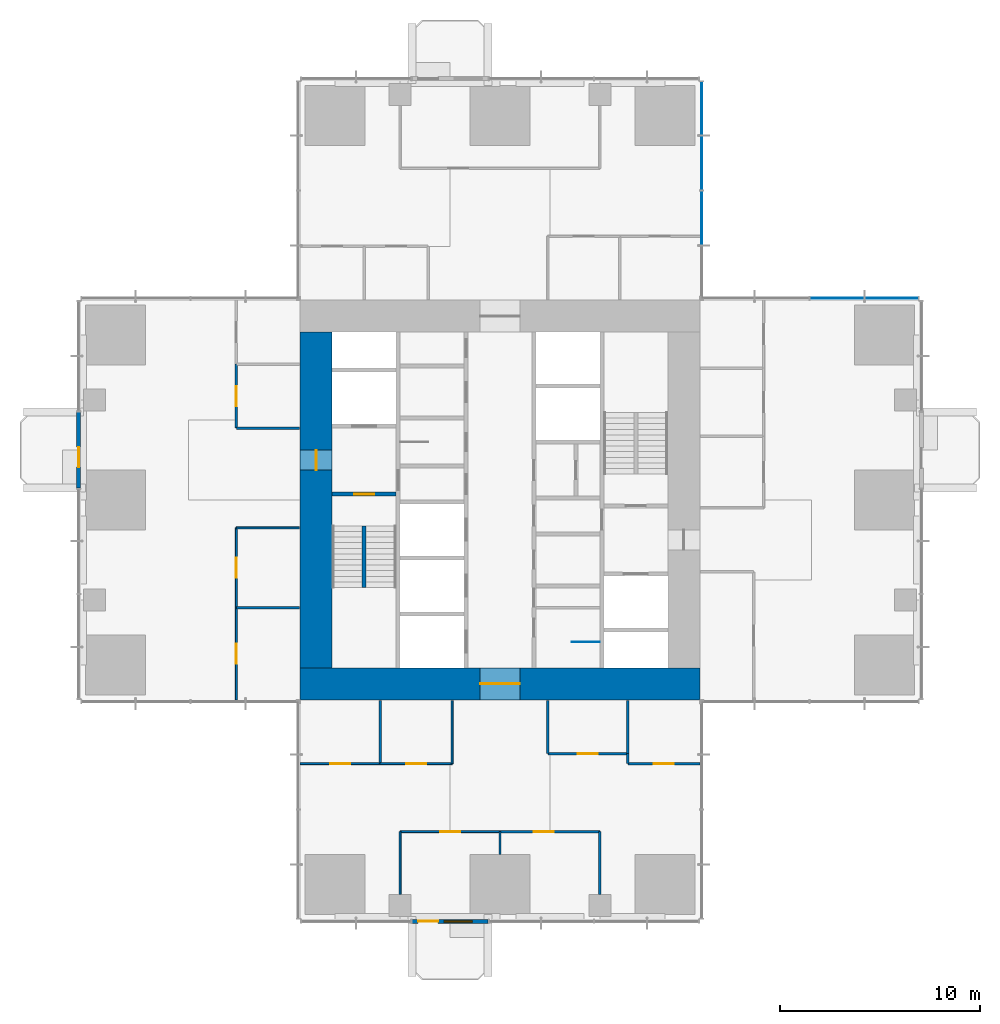
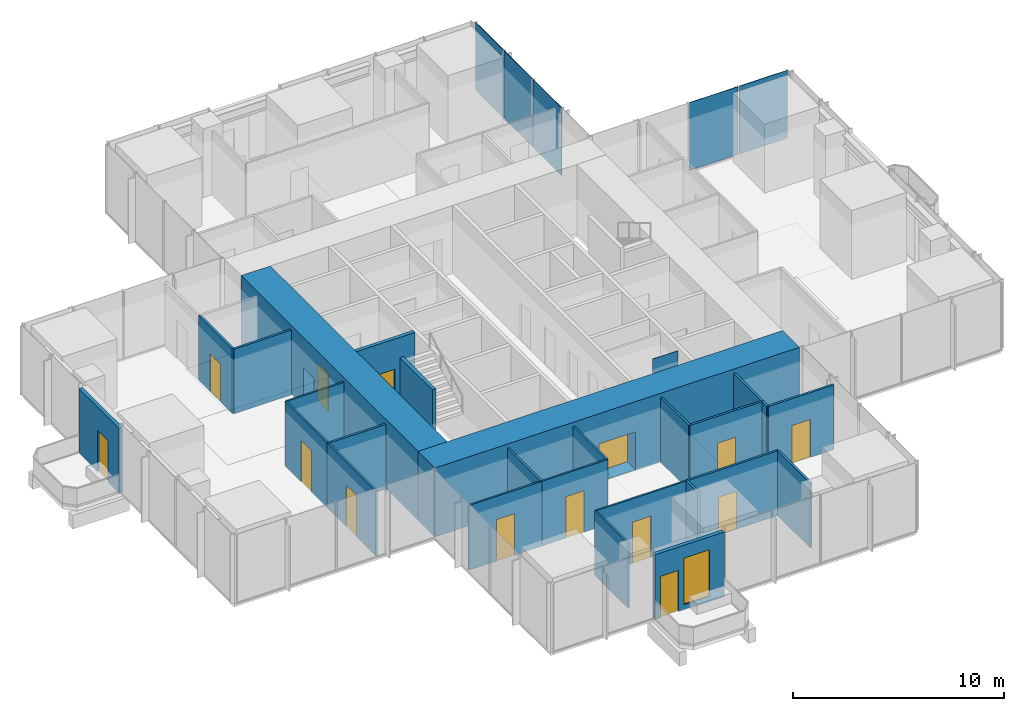
# One storey, part 8 of 13: 27 walls, 14 doors, 5 plates, 1 window, 15 openings, 2 elements without a shape of their own.
"""IFC4 building model written with IfcOpenShell, lengths in metres."""

from ifc_helpers import new_model, si_unit, direction, frame, frame_2d, origin, origin_2d, place, context, subcontext, project, spatial, rectangle, extrude, material, layer, layer_set, type_object, element, fill, aggregate, save


model = new_model("IFC4")

# Units and contexts
model_context = context("Model", 3, precision=1e-05, world=origin(), true_north=direction((0.0, 1.0)))
body_context = subcontext(model_context, "Body", "Model", "MODEL_VIEW")
ifc_project = project(units=[si_unit("LENGTHUNIT", "METRE"), si_unit("AREAUNIT", "SQUARE_METRE"), si_unit("VOLUMEUNIT", "CUBIC_METRE"), si_unit("PLANEANGLEUNIT", "RADIAN"), si_unit("MASSUNIT", "GRAM", prefix="KILO")], contexts=[model_context])

# Site, building, storey
site_placement = place(None, origin())
site = spatial("IfcSite", under=ifc_project, at=site_placement, CompositionType="ELEMENT")
building_placement = place(site_placement, origin())
building = spatial("IfcBuilding", under=site, at=building_placement, Name="Svetlomir Tower", CompositionType="ELEMENT")
storey_placement = place(building_placement, frame((0.0, 0.0, 132.5)))
storey = spatial("IfcBuildingStorey", under=building, at=storey_placement, Name="L31", CompositionType="ELEMENT", Elevation=132.5)

# Curtain wall, plates
ifc_material_1 = material(Name="Bronze anodised aluminium curtain wall", Category="aluminium")
curtain_wall_type = type_object("IfcCurtainWallType", Name="CURTAIN WALL CW1 TOWER OFFICE", PredefinedType="NOTDEFINED", material=ifc_material_1)
curtain_wall_1_placement = place(storey_placement, origin())
curtain_wall_1 = element("IfcCurtainWall", 1, at=curtain_wall_1_placement, inside=storey, type_object=curtain_wall_type, Name="Curtain wall CW1 L31", PredefinedType="NOTDEFINED")
ifc_material_2 = material(Name="Tinted double glazed unit", Category="glass")
ifc_layer_1 = layer(ifc_material_2, 0.031982421875)
ifc_layer_set_1 = layer_set([ifc_layer_1], Name="Tinted double glazed unit")
plate_type = type_object("IfcPlateType", Name="CW1 GLAZED PANEL 32", PredefinedType="CURTAIN_PANEL", material=ifc_layer_set_1)
plate_1_placement = place(storey_placement, frame((40.608642578125, 31.10009765625, 0.06494140625), z_axis=(0.0, 0.0, 1.0), x_axis=(-1.0, 0.0, 0.0)))
plate_1 = element("IfcPlate", 2, at=plate_1_placement, type_object=plate_type, Name="CW1 panel 1.1", PredefinedType="CURTAIN_PANEL", context=body_context, shape_type="SweptSolid", body=[
    extrude(rectangle(XDim=2.652587890625, YDim=0.031982421875, at=origin_2d()), origin(), (0.0, 0.0, 1.0), 3.93505859375),
])
plate_2_placement = place(storey_placement, frame((37.875, 31.10009765625, 0.06494140625), z_axis=(0.0, 0.0, 1.0), x_axis=(-1.0, 0.0, 0.0)))
plate_2 = element("IfcPlate", 3, at=plate_2_placement, type_object=plate_type, Name="CW1 panel 2.1", PredefinedType="CURTAIN_PANEL", context=body_context, shape_type="SweptSolid", body=[
    extrude(rectangle(XDim=2.68505859375, YDim=0.031982421875, at=origin_2d()), origin(), (0.0, 0.0, 1.0), 3.93505859375),
])
aggregate(curtain_wall_1, [plate_1, plate_2])

curtain_wall_2_placement = place(storey_placement, origin())
curtain_wall_2 = element("IfcCurtainWall", 4, at=curtain_wall_2_placement, inside=storey, type_object=curtain_wall_type, Name="Curtain wall CW1 L31", PredefinedType="NOTDEFINED")
plate_3_placement = place(storey_placement, frame((31.10009765625, 35.125, 0.06494140625), z_axis=(0.0, 0.0, 1.0), x_axis=(0.0, 1.0, 0.0)))
plate_3 = element("IfcPlate", 5, at=plate_3_placement, type_object=plate_type, Name="CW1 panel 2.1", PredefinedType="CURTAIN_PANEL", context=body_context, shape_type="SweptSolid", body=[
    extrude(rectangle(XDim=2.68505859375, YDim=0.031982421875, at=origin_2d()), origin(), (0.0, 0.0, 1.0), 3.93505859375),
])
plate_4_placement = place(storey_placement, frame((31.10009765625, 37.875, 0.06494140625), z_axis=(0.0, 0.0, 1.0), x_axis=(0.0, 1.0, 0.0)))
plate_4 = element("IfcPlate", 6, at=plate_4_placement, type_object=plate_type, Name="CW1 panel 3.1", PredefinedType="CURTAIN_PANEL", context=body_context, shape_type="SweptSolid", body=[
    extrude(rectangle(XDim=2.68505859375, YDim=0.031982421875, at=origin_2d()), origin(), (0.0, 0.0, 1.0), 3.93505859375),
])
plate_5_placement = place(storey_placement, frame((31.10009765625, 40.608642578125, 0.06494140625), z_axis=(0.0, 0.0, 1.0), x_axis=(0.0, 1.0, 0.0)))
plate_5 = element("IfcPlate", 7, at=plate_5_placement, type_object=plate_type, Name="CW1 panel 4.1", PredefinedType="CURTAIN_PANEL", context=body_context, shape_type="SweptSolid", body=[
    extrude(rectangle(XDim=2.652587890625, YDim=0.031982421875, at=origin_2d()), origin(), (0.0, 0.0, 1.0), 3.93505859375),
])
aggregate(curtain_wall_2, [plate_3, plate_4, plate_5])

# Wall, openings, door, window
ifc_material_3 = material(Name="Bronze anodised aluminium glazed screen", Category="aluminium")
ifc_layer_2 = layer(ifc_material_3, 0.199951171875)
ifc_layer_set_2 = layer_set([ifc_layer_2], Name="Bronze anodised aluminium glazed screen")
wall_type_1 = type_object("IfcWallType", Name="BALCONY SCREEN WALL 200", PredefinedType="USERDEFINED", material=ifc_layer_set_2)
wall_1_placement = place(storey_placement, frame((16.60009765625, -0.10009765625, 0.0), z_axis=(0.0, 0.0, 1.0), x_axis=(1.0, 0.0, 0.0)))
wall_1 = element("IfcWall", 8, at=wall_1_placement, inside=storey, type_object=wall_type_1, Name="Balcony screen S", ObjectType="GLAZED SCREEN", PredefinedType="USERDEFINED", context=body_context, shape_type="SweptSolid", body=[
    extrude(rectangle(XDim=3.7998046875, YDim=0.199951171875, at=frame_2d((1.89990234375, 0.0))), origin(), (0.0, 0.0, 1.0), 3.75),
])
opening_1_placement = place(wall_1_placement, frame((0.300048828125, 0.0, 0.0)))
opening_1 = element("IfcOpeningElement", 9, at=opening_1_placement, cuts=wall_1, Name="Opening BD", PredefinedType="OPENING", context=body_context, shape_type="SweptSolid", body=[
    extrude(rectangle(XDim=1.0, YDim=2.39990234375, at=frame_2d((0.5, 1.199951171875))), frame((0.0, 0.10986328125, 0.0), z_axis=(0.0, -1.0, 0.0), x_axis=(1.0, 0.0, 0.0)), (0.0, 0.0, 1.0), 0.219970703125),
])
opening_2_placement = place(wall_1_placement, frame((1.60009765625, 0.0, 0.300048828125)))
opening_2 = element("IfcOpeningElement", 10, at=opening_2_placement, cuts=wall_1, Name="Opening WS2", PredefinedType="OPENING", context=body_context, shape_type="SweptSolid", body=[
    extrude(rectangle(XDim=1.39990234375, YDim=2.699951171875, at=frame_2d((0.699951171875, 1.35009765625))), frame((0.0, 0.10986328125, 0.0), z_axis=(0.0, -1.0, 0.0), x_axis=(1.0, 0.0, 0.0)), (0.0, 0.0, 1.0), 0.219970703125),
])
ifc_material_4 = material(Name="Bronze anodised aluminium glazed door", Category="aluminium")
door_type_1 = type_object("IfcDoorType", Name="BALCONY DOOR BD 1000x2400", OperationType="SINGLE_SWING_LEFT", PredefinedType="DOOR", material=ifc_material_4)
door_1_placement = place(opening_1_placement, origin())
door_1 = element("IfcDoor", 11, at=door_1_placement, inside=storey, type_object=door_type_1, Name="Balcony screen S door", OperationType="SINGLE_SWING_LEFT", OverallHeight=2.39990234375, OverallWidth=1.0, PredefinedType="DOOR", context=body_context, shape_type="SweptSolid", body=[
    extrude(rectangle(XDim=1.0, YDim=2.39990234375, at=frame_2d((0.5, 1.199951171875))), frame((0.0, 0.02490234375, 0.0), z_axis=(0.0, -1.0, 0.0), x_axis=(1.0, 0.0, 0.0)), (0.0, 0.0, 1.0), 0.050048828125),
])
fill(opening_1, door_1)
ifc_material_5 = material(Name="Bronze anodised aluminium window", Category="aluminium")
window_type = type_object("IfcWindowType", Name="SCREEN WINDOW WS2 1400x2700", PartitioningType="SINGLE_PANEL", PredefinedType="WINDOW", material=ifc_material_5)
window_placement = place(opening_2_placement, origin())
window = element("IfcWindow", 12, at=window_placement, inside=storey, type_object=window_type, Name="Balcony screen S window 1", OverallHeight=2.699951171875, OverallWidth=1.39990234375, PartitioningType="SINGLE_PANEL", PredefinedType="WINDOW", context=body_context, shape_type="SweptSolid", body=[
    extrude(rectangle(XDim=1.39990234375, YDim=2.699951171875, at=frame_2d((0.699951171875, 1.35009765625))), frame((0.0, 0.030029296875, 0.0), z_axis=(0.0, -1.0, 0.0), x_axis=(1.0, 0.0, 0.0)), (0.0, 0.0, 1.0), 0.06005859375),
])
fill(opening_2, window)

# Wall, opening, door
wall_2_placement = place(storey_placement, frame((-0.10009765625, 25.39990234375, 0.0), z_axis=(0.0, 0.0, 1.0), x_axis=(0.0, -1.0, 0.0)))
wall_2 = element("IfcWall", 13, at=wall_2_placement, inside=storey, type_object=wall_type_1, Name="Balcony screen W", ObjectType="GLAZED SCREEN", PredefinedType="USERDEFINED", context=body_context, shape_type="SweptSolid", body=[
    extrude(rectangle(XDim=3.7998046875, YDim=0.199951171875, at=frame_2d((1.89990234375, 0.0))), origin(), (0.0, 0.0, 1.0), 3.75),
])
opening_3_placement = place(wall_2_placement, frame((1.75, 0.0, 0.0)))
opening_3 = element("IfcOpeningElement", 14, at=opening_3_placement, cuts=wall_2, Name="Opening BD", PredefinedType="OPENING", context=body_context, shape_type="SweptSolid", body=[
    extrude(rectangle(XDim=1.0, YDim=2.39990234375, at=frame_2d((0.5, 1.199951171875))), frame((0.0, 0.10986328125, 0.0), z_axis=(0.0, -1.0, 0.0), x_axis=(1.0, 0.0, 0.0)), (0.0, 0.0, 1.0), 0.219970703125),
])
door_2_placement = place(opening_3_placement, origin())
door_2 = element("IfcDoor", 15, at=door_2_placement, inside=storey, type_object=door_type_1, Name="Balcony screen W door", OperationType="SINGLE_SWING_LEFT", OverallHeight=2.39990234375, OverallWidth=1.0, PredefinedType="DOOR", context=body_context, shape_type="SweptSolid", body=[
    extrude(rectangle(XDim=1.0, YDim=2.39990234375, at=frame_2d((0.5, 1.199951171875))), frame((0.0, 0.02490234375, 0.0), z_axis=(0.0, -1.0, 0.0), x_axis=(1.0, 0.0, 0.0)), (0.0, 0.0, 1.0), 0.050048828125),
])
fill(opening_3, door_2)

ifc_material_6 = material(Name="Concrete C60/75", Category="concrete")
ifc_layer_3 = layer(ifc_material_6, 0.199951171875)
ifc_layer_set_3 = layer_set([ifc_layer_3], Name="Concrete C60/75")
wall_type_2 = type_object("IfcWallType", Name="CORE INNER WALL 200", PredefinedType="SHEAR", material=ifc_layer_set_3)
wall_3_placement = place(storey_placement, frame((12.60009765625, 21.300048828125, -0.050048828125), z_axis=(0.0, 0.0, 1.0), x_axis=(1.0, 0.0, 0.0)))
wall_3 = element("IfcWall", 16, at=wall_3_placement, inside=storey, type_object=wall_type_2, Name="Core inner wall 12.6-15.8/21.3 L31", PredefinedType="SHEAR", context=body_context, shape_type="SweptSolid", body=[
    extrude(rectangle(XDim=3.199951171875, YDim=0.199951171875, at=frame_2d((1.60009765625, 0.0))), origin(), (0.0, 0.0, 1.0), 4.0),
])
opening_4_placement = place(wall_3_placement, frame((1.10009765625, 0.0, 0.050048828125)))
opening_4 = element("IfcOpeningElement", 17, at=opening_4_placement, cuts=wall_3, Name="Opening DF", PredefinedType="OPENING", context=body_context, shape_type="SweptSolid", body=[
    extrude(rectangle(XDim=1.0, YDim=2.199951171875, at=frame_2d((0.5, 1.10009765625))), frame((0.0, 0.10986328125, 0.0), z_axis=(0.0, -1.0, 0.0), x_axis=(1.0, 0.0, 0.0)), (0.0, 0.0, 1.0), 0.219970703125),
])
ifc_material_7 = material(Name="Steel fire door", Category="steel")
door_type_2 = type_object("IfcDoorType", Name="DOOR DF 1000x2200", OperationType="SINGLE_SWING_LEFT", PredefinedType="DOOR", material=ifc_material_7)
door_3_placement = place(opening_4_placement, origin())
door_3 = element("IfcDoor", 18, at=door_3_placement, inside=storey, type_object=door_type_2, Name="Stair S1 door L31", OperationType="SINGLE_SWING_RIGHT", OverallHeight=2.199951171875, OverallWidth=1.0, PredefinedType="DOOR", context=body_context, shape_type="SweptSolid", body=[
    extrude(rectangle(XDim=1.0, YDim=2.199951171875, at=frame_2d((0.5, 1.10009765625))), frame((0.0, 0.02490234375, 0.0), z_axis=(0.0, -1.0, 0.0), x_axis=(1.0, 0.0, 0.0)), (0.0, 0.0, 1.0), 0.050048828125),
])
fill(opening_4, door_3)

ifc_material_8 = material(Name="Concrete C60/75", Category="concrete")
ifc_layer_4 = layer(ifc_material_8, 1.60009765625)
ifc_layer_set_4 = layer_set([ifc_layer_4], Name="Concrete C60/75")
wall_type_3 = type_object("IfcWallType", Name="CORE WALL 1600", PredefinedType="SHEAR", material=ifc_layer_set_4)
wall_4_placement = place(storey_placement, frame((11.0, 11.800048828125, -0.050048828125), z_axis=(0.0, 0.0, 1.0), x_axis=(1.0, 0.0, 0.0)))
wall_4 = element("IfcWall", 19, at=wall_4_placement, inside=storey, type_object=wall_type_3, Name="Core wall south L31", PredefinedType="SHEAR", context=body_context, shape_type="SweptSolid", body=[
    extrude(rectangle(XDim=20.0, YDim=1.60009765625, at=frame_2d((10.0, 0.0))), origin(), (0.0, 0.0, 1.0), 4.0),
])
opening_5_placement = place(wall_4_placement, frame((9.0, 0.0, 0.050048828125)))
opening_5 = element("IfcOpeningElement", 20, at=opening_5_placement, cuts=wall_4, Name="Opening DL", PredefinedType="OPENING", context=body_context, shape_type="SweptSolid", body=[
    extrude(rectangle(XDim=2.0, YDim=2.199951171875, at=frame_2d((1.0, 1.10009765625))), frame((0.0, 0.81005859375, 0.0), z_axis=(0.0, -1.0, 0.0), x_axis=(1.0, 0.0, 0.0)), (0.0, 0.0, 1.0), 1.6201171875),
])
ifc_material_9 = material(Name="Steel fire door", Category="steel")
door_type_3 = type_object("IfcDoorType", Name="DOOR DL 2000x2200", OperationType="DOUBLE_DOOR_SINGLE_SWING", PredefinedType="DOOR", material=ifc_material_9)
door_4_placement = place(opening_5_placement, origin())
door_4 = element("IfcDoor", 21, at=door_4_placement, inside=storey, type_object=door_type_3, Name="Lift lobby south door L31", OperationType="DOUBLE_DOOR_SINGLE_SWING", OverallHeight=2.199951171875, OverallWidth=2.0, PredefinedType="DOOR", context=body_context, shape_type="SweptSolid", body=[
    extrude(rectangle(XDim=2.0, YDim=2.199951171875, at=frame_2d((1.0, 1.10009765625))), frame((0.0, 0.02490234375, 0.0), z_axis=(0.0, -1.0, 0.0), x_axis=(1.0, 0.0, 0.0)), (0.0, 0.0, 1.0), 0.050048828125),
])
fill(opening_5, door_4)

wall_5_placement = place(storey_placement, frame((11.800048828125, 12.60009765625, -0.050048828125), z_axis=(0.0, 0.0, 1.0), x_axis=(0.0, 1.0, 0.0)))
wall_5 = element("IfcWall", 22, at=wall_5_placement, inside=storey, type_object=wall_type_3, Name="Core wall west L31", PredefinedType="SHEAR", context=body_context, shape_type="SweptSolid", body=[
    extrude(rectangle(XDim=16.7998046875, YDim=1.60009765625, at=frame_2d((8.39990234375, 0.0))), origin(), (0.0, 0.0, 1.0), 4.0),
])
opening_6_placement = place(wall_5_placement, frame((9.89990234375, 0.0, 0.050048828125)))
opening_6 = element("IfcOpeningElement", 23, at=opening_6_placement, cuts=wall_5, Name="Opening DF", PredefinedType="OPENING", context=body_context, shape_type="SweptSolid", body=[
    extrude(rectangle(XDim=1.0, YDim=2.199951171875, at=frame_2d((0.5, 1.10009765625))), frame((0.0, 0.81005859375, 0.0), z_axis=(0.0, -1.0, 0.0), x_axis=(1.0, 0.0, 0.0)), (0.0, 0.0, 1.0), 1.6201171875),
])
door_5_placement = place(opening_6_placement, origin())
door_5 = element("IfcDoor", 24, at=door_5_placement, inside=storey, type_object=door_type_2, Name="Firefighting lobby west door L31", OperationType="SINGLE_SWING_RIGHT", OverallHeight=2.199951171875, OverallWidth=1.0, PredefinedType="DOOR", context=body_context, shape_type="SweptSolid", body=[
    extrude(rectangle(XDim=1.0, YDim=2.199951171875, at=frame_2d((0.5, 1.10009765625))), frame((0.0, 0.02490234375, 0.0), z_axis=(0.0, -1.0, 0.0), x_axis=(1.0, 0.0, 0.0)), (0.0, 0.0, 1.0), 0.050048828125),
])
fill(opening_6, door_5)

ifc_material_10 = material(Name="Framed laminated glass partition", Category="glass")
ifc_layer_5 = layer(ifc_material_10, 0.10009765625)
ifc_layer_set_5 = layer_set([ifc_layer_5], Name="Framed laminated glass partition")
wall_type_4 = type_object("IfcWallType", Name="GLAZED PARTITION 100", PredefinedType="PARTITIONING", material=ifc_layer_set_5)
wall_6_placement = place(storey_placement, frame((7.800048828125, 11.0, 0.0), z_axis=(0.0, 0.0, 1.0), x_axis=(0.0, 1.0, 0.0)))
wall_6 = element("IfcWall", 25, at=wall_6_placement, inside=storey, type_object=wall_type_4, Name="Glazed partition L31", PredefinedType="PARTITIONING", context=body_context, shape_type="SweptSolid", body=[
    extrude(rectangle(XDim=4.60009765625, YDim=0.10009765625, at=frame_2d((2.300048828125, 0.0))), origin(), (0.0, 0.0, 1.0), 3.75),
])
opening_7_placement = place(wall_6_placement, frame((1.800048828125, 0.0, 0.0)))
opening_7 = element("IfcOpeningElement", 26, at=opening_7_placement, cuts=wall_6, Name="Opening DG", PredefinedType="OPENING", context=body_context, shape_type="SweptSolid", body=[
    extrude(rectangle(XDim=1.0, YDim=2.39990234375, at=frame_2d((0.5, 1.199951171875))), frame((0.0, 0.06005859375, 0.0), z_axis=(0.0, -1.0, 0.0), x_axis=(1.0, 0.0, 0.0)), (0.0, 0.0, 1.0), 0.1201171875),
])
ifc_material_11 = material(Name="Framed laminated glass door", Category="glass")
door_type_4 = type_object("IfcDoorType", Name="GLAZED DOOR DG 1000x2400", OperationType="SINGLE_SWING_LEFT", PredefinedType="DOOR", material=ifc_material_11)
door_6_placement = place(opening_7_placement, origin())
door_6 = element("IfcDoor", 27, at=door_6_placement, inside=storey, type_object=door_type_4, Name="Meeting room, 4 seats door L31", OperationType="SINGLE_SWING_RIGHT", OverallHeight=2.39990234375, OverallWidth=1.0, PredefinedType="DOOR", context=body_context, shape_type="SweptSolid", body=[
    extrude(rectangle(XDim=1.0, YDim=2.39990234375, at=frame_2d((0.5, 1.199951171875))), frame((0.0, 0.02490234375, 0.0), z_axis=(0.0, -1.0, 0.0), x_axis=(1.0, 0.0, 0.0)), (0.0, 0.0, 1.0), 0.050048828125),
])
fill(opening_7, door_6)

wall_7_placement = place(storey_placement, frame((7.800048828125, 15.60009765625, 0.0), z_axis=(0.0, 0.0, 1.0), x_axis=(0.0, 1.0, 0.0)))
wall_7 = element("IfcWall", 28, at=wall_7_placement, inside=storey, type_object=wall_type_4, Name="Glazed partition L31", PredefinedType="PARTITIONING", context=body_context, shape_type="SweptSolid", body=[
    extrude(rectangle(XDim=4.0, YDim=0.10009765625, at=frame_2d((2.0, 0.0))), origin(), (0.0, 0.0, 1.0), 3.75),
])
opening_8_placement = place(wall_7_placement, frame((1.5, 0.0, 0.0)))
opening_8 = element("IfcOpeningElement", 29, at=opening_8_placement, cuts=wall_7, Name="Opening DG", PredefinedType="OPENING", context=body_context, shape_type="SweptSolid", body=[
    extrude(rectangle(XDim=1.0, YDim=2.39990234375, at=frame_2d((0.5, 1.199951171875))), frame((0.0, 0.06005859375, 0.0), z_axis=(0.0, -1.0, 0.0), x_axis=(1.0, 0.0, 0.0)), (0.0, 0.0, 1.0), 0.1201171875),
])
door_7_placement = place(opening_8_placement, origin())
door_7 = element("IfcDoor", 30, at=door_7_placement, inside=storey, type_object=door_type_4, Name="Phone rooms door L31", OperationType="SINGLE_SWING_LEFT", OverallHeight=2.39990234375, OverallWidth=1.0, PredefinedType="DOOR", context=body_context, shape_type="SweptSolid", body=[
    extrude(rectangle(XDim=1.0, YDim=2.39990234375, at=frame_2d((0.5, 1.199951171875))), frame((0.0, 0.02490234375, 0.0), z_axis=(0.0, -1.0, 0.0), x_axis=(1.0, 0.0, 0.0)), (0.0, 0.0, 1.0), 0.050048828125),
])
fill(opening_8, door_7)

# Wall
wall_8_placement = place(storey_placement, frame((7.800048828125, 19.60009765625, 0.0), z_axis=(0.0, 0.0, 1.0), x_axis=(1.0, 0.0, 0.0)))
element("IfcWall", 31, at=wall_8_placement, inside=storey, type_object=wall_type_4, Name="Glazed partition L31", PredefinedType="PARTITIONING", context=body_context, shape_type="SweptSolid", body=[
    extrude(rectangle(XDim=3.14990234375, YDim=0.10009765625, at=frame_2d((1.574951171875, 0.0))), origin(), (0.0, 0.0, 1.0), 3.75),
])

# Wall, opening, door
wall_9_placement = place(storey_placement, frame((11.0, 7.800048828125, 0.0), z_axis=(0.0, 0.0, 1.0), x_axis=(1.0, 0.0, 0.0)))
wall_9 = element("IfcWall", 32, at=wall_9_placement, inside=storey, type_object=wall_type_4, Name="Glazed partition L31", PredefinedType="PARTITIONING", context=body_context, shape_type="SweptSolid", body=[
    extrude(rectangle(XDim=4.0, YDim=0.10009765625, at=frame_2d((2.0, 0.0))), origin(), (0.0, 0.0, 1.0), 3.75),
])
opening_9_placement = place(wall_9_placement, frame((1.5, 0.0, 0.0)))
opening_9 = element("IfcOpeningElement", 33, at=opening_9_placement, cuts=wall_9, Name="Opening DG", PredefinedType="OPENING", context=body_context, shape_type="SweptSolid", body=[
    extrude(rectangle(XDim=1.0, YDim=2.39990234375, at=frame_2d((0.5, 1.199951171875))), frame((0.0, 0.06005859375, 0.0), z_axis=(0.0, -1.0, 0.0), x_axis=(1.0, 0.0, 0.0)), (0.0, 0.0, 1.0), 0.1201171875),
])
door_8_placement = place(opening_9_placement, origin())
door_8 = element("IfcDoor", 34, at=door_8_placement, inside=storey, type_object=door_type_4, Name="Grid model room door L31", OperationType="SINGLE_SWING_RIGHT", OverallHeight=2.39990234375, OverallWidth=1.0, PredefinedType="DOOR", context=body_context, shape_type="SweptSolid", body=[
    extrude(rectangle(XDim=1.0, YDim=2.39990234375, at=frame_2d((0.5, 1.199951171875))), frame((0.0, 0.02490234375, 0.0), z_axis=(0.0, -1.0, 0.0), x_axis=(1.0, 0.0, 0.0)), (0.0, 0.0, 1.0), 0.050048828125),
])
fill(opening_9, door_8)

wall_10_placement = place(storey_placement, frame((15.0, 7.800048828125, 0.0), z_axis=(0.0, 0.0, 1.0), x_axis=(1.0, 0.0, 0.0)))
wall_10 = element("IfcWall", 35, at=wall_10_placement, inside=storey, type_object=wall_type_4, Name="Glazed partition L31", PredefinedType="PARTITIONING", context=body_context, shape_type="SweptSolid", body=[
    extrude(rectangle(XDim=3.60009765625, YDim=0.10009765625, at=frame_2d((1.800048828125, 0.0))), origin(), (0.0, 0.0, 1.0), 3.75),
])
opening_10_placement = place(wall_10_placement, frame((1.300048828125, 0.0, 0.0)))
opening_10 = element("IfcOpeningElement", 36, at=opening_10_placement, cuts=wall_10, Name="Opening DG", PredefinedType="OPENING", context=body_context, shape_type="SweptSolid", body=[
    extrude(rectangle(XDim=1.0, YDim=2.39990234375, at=frame_2d((0.5, 1.199951171875))), frame((0.0, 0.06005859375, 0.0), z_axis=(0.0, -1.0, 0.0), x_axis=(1.0, 0.0, 0.0)), (0.0, 0.0, 1.0), 0.1201171875),
])
door_9_placement = place(opening_10_placement, origin())
door_9 = element("IfcDoor", 37, at=door_9_placement, inside=storey, type_object=door_type_4, Name="Meeting room, 8 seats door L31", OperationType="SINGLE_SWING_RIGHT", OverallHeight=2.39990234375, OverallWidth=1.0, PredefinedType="DOOR", context=body_context, shape_type="SweptSolid", body=[
    extrude(rectangle(XDim=1.0, YDim=2.39990234375, at=frame_2d((0.5, 1.199951171875))), frame((0.0, 0.02490234375, 0.0), z_axis=(0.0, -1.0, 0.0), x_axis=(1.0, 0.0, 0.0)), (0.0, 0.0, 1.0), 0.050048828125),
])
fill(opening_10, door_9)

# Wall
wall_11_placement = place(storey_placement, frame((16.0, 1.260009765625, 0.0), z_axis=(0.0, 0.0, 1.0), x_axis=(0.0, 1.0, 0.0)))
element("IfcWall", 38, at=wall_11_placement, inside=storey, type_object=wall_type_4, Name="Glazed partition L31", PredefinedType="PARTITIONING", context=body_context, shape_type="SweptSolid", body=[
    extrude(rectangle(XDim=3.139892578125, YDim=0.10009765625, at=frame_2d((1.56982421875, 0.0))), origin(), (0.0, 0.0, 1.0), 3.75),
])

# Wall, opening, door
wall_12_placement = place(storey_placement, frame((16.0, 4.39990234375, 0.0), z_axis=(0.0, 0.0, 1.0), x_axis=(1.0, 0.0, 0.0)))
wall_12 = element("IfcWall", 39, at=wall_12_placement, inside=storey, type_object=wall_type_4, Name="Glazed partition L31", PredefinedType="PARTITIONING", context=body_context, shape_type="SweptSolid", body=[
    extrude(rectangle(XDim=5.0, YDim=0.10009765625, at=frame_2d((2.5, 0.0))), origin(), (0.0, 0.0, 1.0), 3.75),
])
opening_11_placement = place(wall_12_placement, frame((2.0, 0.0, 0.0)))
opening_11 = element("IfcOpeningElement", 40, at=opening_11_placement, cuts=wall_12, Name="Opening DG", PredefinedType="OPENING", context=body_context, shape_type="SweptSolid", body=[
    extrude(rectangle(XDim=1.0, YDim=2.39990234375, at=frame_2d((0.5, 1.199951171875))), frame((0.0, 0.06005859375, 0.0), z_axis=(0.0, -1.0, 0.0), x_axis=(1.0, 0.0, 0.0)), (0.0, 0.0, 1.0), 0.1201171875),
])
door_10_placement = place(opening_11_placement, origin())
door_10 = element("IfcDoor", 41, at=door_10_placement, inside=storey, type_object=door_type_4, Name="Break-out and kitchenette door L31", OperationType="SINGLE_SWING_RIGHT", OverallHeight=2.39990234375, OverallWidth=1.0, PredefinedType="DOOR", context=body_context, shape_type="SweptSolid", body=[
    extrude(rectangle(XDim=1.0, YDim=2.39990234375, at=frame_2d((0.5, 1.199951171875))), frame((0.0, 0.02490234375, 0.0), z_axis=(0.0, -1.0, 0.0), x_axis=(1.0, 0.0, 0.0)), (0.0, 0.0, 1.0), 0.050048828125),
])
fill(opening_11, door_10)

# Walls
wall_13_placement = place(storey_placement, frame((18.60009765625, 7.800048828125, 0.0), z_axis=(0.0, 0.0, 1.0), x_axis=(0.0, 1.0, 0.0)))
element("IfcWall", 42, at=wall_13_placement, inside=storey, type_object=wall_type_4, Name="Glazed partition L31", PredefinedType="PARTITIONING", context=body_context, shape_type="SweptSolid", body=[
    extrude(rectangle(XDim=3.14990234375, YDim=0.10009765625, at=frame_2d((1.574951171875, 0.0))), origin(), (0.0, 0.0, 1.0), 3.75),
])
ifc_material_12 = material(Name="Gypsum board on steel studs", Category="steel")
ifc_layer_6 = layer(ifc_material_12, 0.1201171875)
ifc_layer_set_6 = layer_set([ifc_layer_6], Name="Gypsum board on steel studs")
wall_type_5 = type_object("IfcWallType", Name="PARTITION 120", PredefinedType="PARTITIONING", material=ifc_layer_set_6)
wall_14_placement = place(storey_placement, frame((7.800048828125, 15.60009765625, 0.0), z_axis=(0.0, 0.0, 1.0), x_axis=(1.0, 0.0, 0.0)))
element("IfcWall", 43, at=wall_14_placement, inside=storey, type_object=wall_type_5, Name="Partition L31", PredefinedType="PARTITIONING", context=body_context, shape_type="SweptSolid", body=[
    extrude(rectangle(XDim=3.14990234375, YDim=0.1201171875, at=frame_2d((1.574951171875, 0.0))), origin(), (0.0, 0.0, 1.0), 3.75),
])

# Wall, opening, door
wall_15_placement = place(storey_placement, frame((7.800048828125, 24.60009765625, 0.0), z_axis=(0.0, 0.0, 1.0), x_axis=(0.0, 1.0, 0.0)))
wall_15 = element("IfcWall", 44, at=wall_15_placement, inside=storey, type_object=wall_type_5, Name="Partition L31", PredefinedType="PARTITIONING", context=body_context, shape_type="SweptSolid", body=[
    extrude(rectangle(XDim=3.199951171875, YDim=0.1201171875, at=frame_2d((1.60009765625, 0.0))), origin(), (0.0, 0.0, 1.0), 3.75),
])
opening_12_placement = place(wall_15_placement, frame((1.10009765625, 0.0, 0.0)))
opening_12 = element("IfcOpeningElement", 45, at=opening_12_placement, cuts=wall_15, Name="Opening DR", PredefinedType="OPENING", context=body_context, shape_type="SweptSolid", body=[
    extrude(rectangle(XDim=1.0, YDim=2.199951171875, at=frame_2d((0.5, 1.10009765625))), frame((0.0, 0.070068359375, 0.0), z_axis=(0.0, -1.0, 0.0), x_axis=(1.0, 0.0, 0.0)), (0.0, 0.0, 1.0), 0.14013671875),
])
ifc_material_13 = material(Name="Timber door, glazed side light", Category="wood")
door_type_5 = type_object("IfcDoorType", Name="DOOR DR 1000x2200", OperationType="SINGLE_SWING_LEFT", PredefinedType="DOOR", material=ifc_material_13)
door_11_placement = place(opening_12_placement, origin())
door_11 = element("IfcDoor", 46, at=door_11_placement, inside=storey, type_object=door_type_5, Name="Energy analyst office door L31", OperationType="SINGLE_SWING_RIGHT", OverallHeight=2.199951171875, OverallWidth=1.0, PredefinedType="DOOR", context=body_context, shape_type="SweptSolid", body=[
    extrude(rectangle(XDim=1.0, YDim=2.199951171875, at=frame_2d((0.5, 1.10009765625))), frame((0.0, 0.02490234375, 0.0), z_axis=(0.0, -1.0, 0.0), x_axis=(1.0, 0.0, 0.0)), (0.0, 0.0, 1.0), 0.050048828125),
])
fill(opening_12, door_11)

# Walls
for number, where, z_axis, x_axis, name in (
    (47, (7.800048828125, 24.60009765625, 0.0), (0.0, 0.0, 1.0), (1.0, 0.0, 0.0), "Partition L31"),
    (48, (15.0, 7.800048828125, 0.0), (0.0, 0.0, 1.0), (0.0, 1.0, 0.0), "Partition L31"),
):
    element("IfcWall", number, at=place(storey_placement, frame(where, z_axis=z_axis, x_axis=x_axis)), inside=storey, type_object=wall_type_5, Name=name, PredefinedType="PARTITIONING", context=body_context, shape_type="SweptSolid", body=[
        extrude(rectangle(XDim=3.14990234375, YDim=0.1201171875, at=frame_2d((1.574951171875, 0.0))), origin(), (0.0, 0.0, 1.0), 3.75),
    ])
wall_16_placement = place(storey_placement, frame((21.0, 3.260009765625, 0.0), z_axis=(0.0, 0.0, 1.0), x_axis=(0.0, 1.0, 0.0)))
element("IfcWall", 49, at=wall_16_placement, inside=storey, type_object=wall_type_5, Name="Partition L31", PredefinedType="PARTITIONING", context=body_context, shape_type="SweptSolid", body=[
    extrude(rectangle(XDim=1.139892578125, YDim=0.1201171875, at=frame_2d((0.56982421875, 0.0))), origin(), (0.0, 0.0, 1.0), 3.75),
])

# Wall, opening, door
wall_17_placement = place(storey_placement, frame((21.0, 4.39990234375, 0.0), z_axis=(0.0, 0.0, 1.0), x_axis=(1.0, 0.0, 0.0)))
wall_17 = element("IfcWall", 50, at=wall_17_placement, inside=storey, type_object=wall_type_5, Name="Partition L31", PredefinedType="PARTITIONING", context=body_context, shape_type="SweptSolid", body=[
    extrude(rectangle(XDim=5.0, YDim=0.1201171875, at=frame_2d((2.5, 0.0))), origin(), (0.0, 0.0, 1.0), 3.75),
])
opening_13_placement = place(wall_17_placement, frame((1.699951171875, 0.0, 0.0)))
opening_13 = element("IfcOpeningElement", 51, at=opening_13_placement, cuts=wall_17, Name="Opening DR", PredefinedType="OPENING", context=body_context, shape_type="SweptSolid", body=[
    extrude(rectangle(XDim=1.0, YDim=2.199951171875, at=frame_2d((0.5, 1.10009765625))), frame((0.0, 0.070068359375, 0.0), z_axis=(0.0, -1.0, 0.0), x_axis=(1.0, 0.0, 0.0)), (0.0, 0.0, 1.0), 0.14013671875),
])
door_12_placement = place(opening_13_placement, origin())
door_12 = element("IfcDoor", 52, at=door_12_placement, inside=storey, type_object=door_type_5, Name="Portfolio director office door L31", OperationType="SINGLE_SWING_LEFT", OverallHeight=2.199951171875, OverallWidth=1.0, PredefinedType="DOOR", context=body_context, shape_type="SweptSolid", body=[
    extrude(rectangle(XDim=1.0, YDim=2.199951171875, at=frame_2d((0.5, 1.10009765625))), frame((0.0, 0.02490234375, 0.0), z_axis=(0.0, -1.0, 0.0), x_axis=(1.0, 0.0, 0.0)), (0.0, 0.0, 1.0), 0.050048828125),
])
fill(opening_13, door_12)

# Wall
wall_18_placement = place(storey_placement, frame((23.39990234375, 8.300048828125, 0.0), z_axis=(0.0, 0.0, 1.0), x_axis=(0.0, 1.0, 0.0)))
element("IfcWall", 53, at=wall_18_placement, inside=storey, type_object=wall_type_5, Name="Partition L31", PredefinedType="PARTITIONING", context=body_context, shape_type="SweptSolid", body=[
    extrude(rectangle(XDim=2.64990234375, YDim=0.1201171875, at=frame_2d((1.324951171875, 0.0))), origin(), (0.0, 0.0, 1.0), 3.75),
])

# Wall, opening, door
wall_19_placement = place(storey_placement, frame((23.39990234375, 8.300048828125, 0.0), z_axis=(0.0, 0.0, 1.0), x_axis=(1.0, 0.0, 0.0)))
wall_19 = element("IfcWall", 54, at=wall_19_placement, inside=storey, type_object=wall_type_5, Name="Partition L31", PredefinedType="PARTITIONING", context=body_context, shape_type="SweptSolid", body=[
    extrude(rectangle(XDim=4.0, YDim=0.1201171875, at=frame_2d((2.0, 0.0))), origin(), (0.0, 0.0, 1.0), 3.75),
])
opening_14_placement = place(wall_19_placement, frame((1.5, 0.0, 0.0)))
opening_14 = element("IfcOpeningElement", 55, at=opening_14_placement, cuts=wall_19, Name="Opening DR", PredefinedType="OPENING", context=body_context, shape_type="SweptSolid", body=[
    extrude(rectangle(XDim=1.0, YDim=2.199951171875, at=frame_2d((0.5, 1.10009765625))), frame((0.0, 0.070068359375, 0.0), z_axis=(0.0, -1.0, 0.0), x_axis=(1.0, 0.0, 0.0)), (0.0, 0.0, 1.0), 0.14013671875),
])
door_13_placement = place(opening_14_placement, origin())
door_13 = element("IfcDoor", 56, at=door_13_placement, inside=storey, type_object=door_type_5, Name="Store 1 door L31", OperationType="SINGLE_SWING_LEFT", OverallHeight=2.199951171875, OverallWidth=1.0, PredefinedType="DOOR", context=body_context, shape_type="SweptSolid", body=[
    extrude(rectangle(XDim=1.0, YDim=2.199951171875, at=frame_2d((0.5, 1.10009765625))), frame((0.0, 0.02490234375, 0.0), z_axis=(0.0, -1.0, 0.0), x_axis=(1.0, 0.0, 0.0)), (0.0, 0.0, 1.0), 0.050048828125),
])
fill(opening_14, door_13)

# Walls
wall_20_placement = place(storey_placement, frame((26.0, 1.260009765625, 0.0), z_axis=(0.0, 0.0, 1.0), x_axis=(0.0, 1.0, 0.0)))
element("IfcWall", 57, at=wall_20_placement, inside=storey, type_object=wall_type_5, Name="Partition L31", PredefinedType="PARTITIONING", context=body_context, shape_type="SweptSolid", body=[
    extrude(rectangle(XDim=3.139892578125, YDim=0.1201171875, at=frame_2d((1.56982421875, 0.0))), origin(), (0.0, 0.0, 1.0), 3.75),
])
wall_21_placement = place(storey_placement, frame((27.39990234375, 7.800048828125, 0.0), z_axis=(0.0, 0.0, 1.0), x_axis=(0.0, 1.0, 0.0)))
element("IfcWall", 58, at=wall_21_placement, inside=storey, type_object=wall_type_5, Name="Partition L31", PredefinedType="PARTITIONING", context=body_context, shape_type="SweptSolid", body=[
    extrude(rectangle(XDim=0.5, YDim=0.1201171875, at=frame_2d((0.25, 0.0))), origin(), (0.0, 0.0, 1.0), 3.75),
])

# Wall, opening, door
wall_22_placement = place(storey_placement, frame((27.39990234375, 7.800048828125, 0.0), z_axis=(0.0, 0.0, 1.0), x_axis=(1.0, 0.0, 0.0)))
wall_22 = element("IfcWall", 59, at=wall_22_placement, inside=storey, type_object=wall_type_5, Name="Partition L31", PredefinedType="PARTITIONING", context=body_context, shape_type="SweptSolid", body=[
    extrude(rectangle(XDim=3.60009765625, YDim=0.1201171875, at=frame_2d((1.800048828125, 0.0))), origin(), (0.0, 0.0, 1.0), 3.75),
])
opening_15_placement = place(wall_22_placement, frame((1.300048828125, 0.0, 0.0)))
opening_15 = element("IfcOpeningElement", 60, at=opening_15_placement, cuts=wall_22, Name="Opening DR", PredefinedType="OPENING", context=body_context, shape_type="SweptSolid", body=[
    extrude(rectangle(XDim=1.0, YDim=2.199951171875, at=frame_2d((0.5, 1.10009765625))), frame((0.0, 0.070068359375, 0.0), z_axis=(0.0, -1.0, 0.0), x_axis=(1.0, 0.0, 0.0)), (0.0, 0.0, 1.0), 0.14013671875),
])
door_14_placement = place(opening_15_placement, origin())
door_14 = element("IfcDoor", 61, at=door_14_placement, inside=storey, type_object=door_type_5, Name="Asset manager office door L31", OperationType="SINGLE_SWING_LEFT", OverallHeight=2.199951171875, OverallWidth=1.0, PredefinedType="DOOR", context=body_context, shape_type="SweptSolid", body=[
    extrude(rectangle(XDim=1.0, YDim=2.199951171875, at=frame_2d((0.5, 1.10009765625))), frame((0.0, 0.02490234375, 0.0), z_axis=(0.0, -1.0, 0.0), x_axis=(1.0, 0.0, 0.0)), (0.0, 0.0, 1.0), 0.050048828125),
])
fill(opening_15, door_14)

# Walls
wall_23_placement = place(storey_placement, frame((27.39990234375, 8.300048828125, 0.0), z_axis=(0.0, 0.0, 1.0), x_axis=(0.0, 1.0, 0.0)))
element("IfcWall", 62, at=wall_23_placement, inside=storey, type_object=wall_type_5, Name="Partition L31", PredefinedType="PARTITIONING", context=body_context, shape_type="SweptSolid", body=[
    extrude(rectangle(XDim=2.64990234375, YDim=0.1201171875, at=frame_2d((1.324951171875, 0.0))), origin(), (0.0, 0.0, 1.0), 3.75),
])
ifc_material_14 = material(Name="Concrete C60/75", Category="concrete")
ifc_layer_7 = layer(ifc_material_14, 0.199951171875)
ifc_layer_set_7 = layer_set([ifc_layer_7], Name="Concrete C60/75")
wall_type_6 = type_object("IfcWallType", Name="STAIR SPINE WALL 200", PredefinedType="PARTITIONING", material=ifc_layer_set_7)
wall_24_placement = place(storey_placement, frame((14.199951171875, 16.6201171875, 0.0), z_axis=(0.0, 0.0, 1.0), x_axis=(0.0, 1.0, 0.0)))
element("IfcWall", 63, at=wall_24_placement, inside=storey, type_object=wall_type_6, Name="Stair S1 spine wall L31", PredefinedType="PARTITIONING", context=body_context, shape_type="SweptSolid", body=[
    extrude(rectangle(XDim=3.079833984375, YDim=0.199951171875, at=frame_2d((1.5400390625, 0.0))), origin(), (0.0, 0.0, 1.0), 4.0),
])
ifc_material_15 = material(Name="Compact laminate panel", Category="plastic")
ifc_layer_8 = layer(ifc_material_15, 0.030029296875)
ifc_layer_set_8 = layer_set([ifc_layer_8], Name="Compact laminate panel")
wall_type_7 = type_object("IfcWallType", Name="WC CUBICLE PARTITION 30", PredefinedType="PARTITIONING", material=ifc_layer_set_8)
wall_25_placement = place(storey_placement, frame((24.60009765625, 13.89990234375, 0.0), z_axis=(0.0, 0.0, 1.0), x_axis=(1.0, 0.0, 0.0)))
element("IfcWall", 64, at=wall_25_placement, inside=storey, type_object=wall_type_7, Name="WC cubicle partition L31", PredefinedType="PARTITIONING", context=body_context, shape_type="SweptSolid", body=[
    extrude(rectangle(XDim=1.39990234375, YDim=0.030029296875, at=frame_2d((0.699951171875, 0.0))), origin(), (0.0, 0.0, 1.0), 3.75),
])

save(model, "model.ifc")
